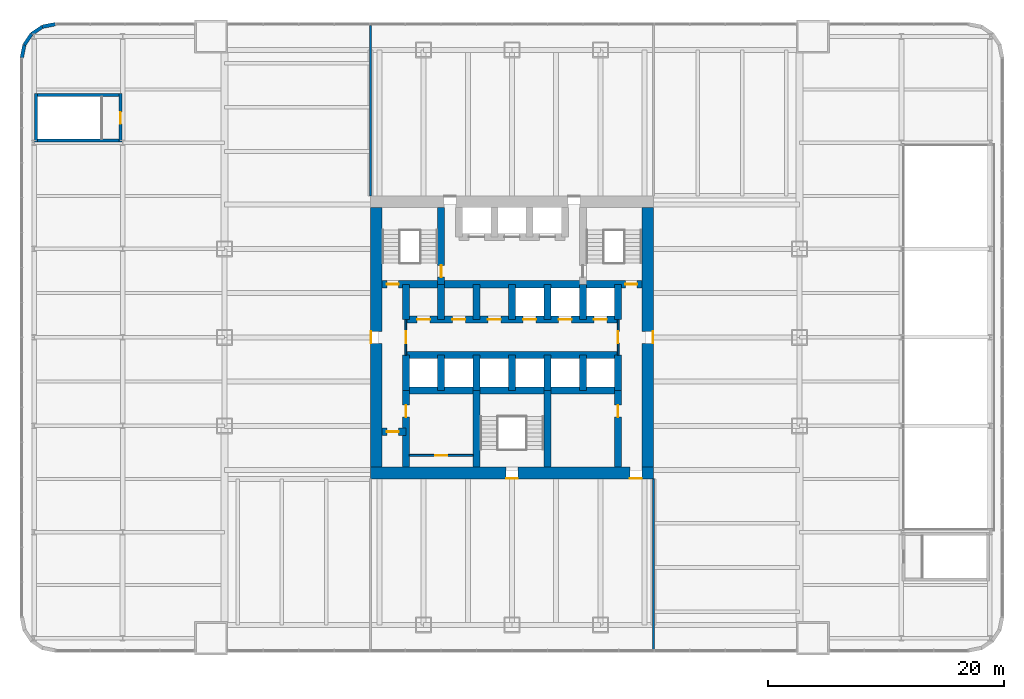
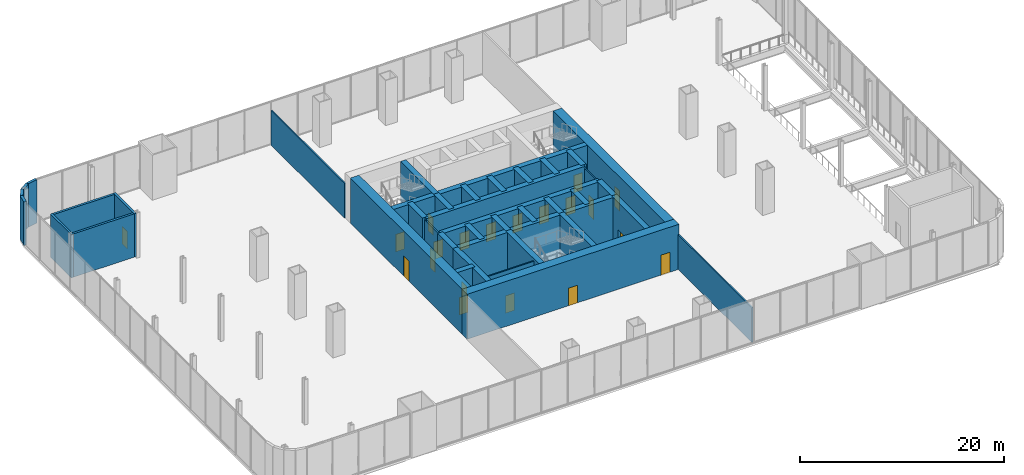
# One storey, part 14 of 17: 40 walls, 20 doors, 20 openings.
"""IFC4 building model written with IfcOpenShell, lengths in metres."""

import ifcopenshell
import ifcopenshell.guid

model = None  # the IFC model being written
_history = None  # IfcOwnerHistory: only IFC2X3 demands one
_inside = {}  # id of a spatial element -> (the spatial element, [elements in it])
_under = {}  # id of a project, library or spatial element -> (it, [spatial elements below it])
_declared = {}  # id of a project -> (the project, [libraries it declares])
_typed = {}  # id of a type object -> (the type object, [elements of that type])
_made_of = {}  # id of a material, layer set ... -> (it, [elements and type objects made of it])


def new_model(schema):
    """Start an empty IFC model of exactly this schema.

    Asked for "IFC4X3", IfcOpenShell would pick the latest addendum, in which some entities
    have other attributes; the version numbers below select the first issue.
    IFC2X3 requires an IfcOwnerHistory on every rooted entity: one is made here for all.
    """
    global model, _history
    if schema == "IFC4X3":
        model = ifcopenshell.file(schema_version=(4, 3, 0, 0))
    else:
        model = ifcopenshell.file(schema=schema)
    _inside.clear()
    _under.clear()
    _declared.clear()
    _typed.clear()
    _made_of.clear()
    _history = None
    if model.schema == "IFC2X3":
        org = make("IfcOrganization", Name="unknown")
        user = make(
            "IfcPersonAndOrganization",
            ThePerson=make("IfcPerson", FamilyName="unknown"),
            TheOrganization=org,
        )
        app = make(
            "IfcApplication",
            ApplicationDeveloper=org,
            Version="unknown",
            ApplicationFullName="unknown",
            ApplicationIdentifier="unknown",
        )
        _history = make(
            "IfcOwnerHistory",
            OwningUser=user,
            OwningApplication=app,
            ChangeAction="ADDED",
            CreationDate=0,
        )
    return model


def make(cls, **values):
    """One entity of the class cls with the attributes given. An attribute that is None is left unset."""
    return model.create_entity(
        cls, **{name: value for name, value in values.items() if value is not None}
    )


def rooted(cls, **values):
    """An entity with a GlobalId (a new one), such as an element, a storey or a relation."""
    return make(cls, GlobalId=ifcopenshell.guid.new(), OwnerHistory=_history, **values)


def si_unit(unit_type, name, prefix=None):
    """IfcSIUnit, for example si_unit("LENGTHUNIT", "METRE", prefix="MILLI")."""
    return make("IfcSIUnit", UnitType=unit_type, Prefix=prefix, Name=name)


def assignment(units):
    """IfcUnitAssignment: the units of a project."""
    return None if units is None else make("IfcUnitAssignment", Units=units)


def point(xyz):
    """IfcCartesianPoint."""
    return None if xyz is None else make("IfcCartesianPoint", Coordinates=xyz)


def direction(xyz):
    """IfcDirection."""
    return None if xyz is None else make("IfcDirection", DirectionRatios=xyz)


def frame(location, z_axis=None, x_axis=None):
    """IfcAxis2Placement3D, a coordinate frame: its origin and axes. An axis left out is left unset."""
    return make(
        "IfcAxis2Placement3D",
        Location=point(location),
        Axis=direction(z_axis),
        RefDirection=direction(x_axis),
    )


def frame_2d(location, x_axis=None):
    """IfcAxis2Placement2D, a coordinate frame in the plane: its origin and x axis."""
    return make(
        "IfcAxis2Placement2D", Location=point(location), RefDirection=direction(x_axis)
    )


def origin():
    """The frame at (0, 0, 0) with its axes left unset."""
    return frame((0.0, 0.0, 0.0))


def place(relative_to, where):
    """IfcLocalPlacement: puts the frame where relative to a parent placement (None: the world)."""
    return make(
        "IfcLocalPlacement", PlacementRelTo=relative_to, RelativePlacement=where
    )


def context(
    kind, dimensions, precision=None, world=None, true_north=None, identifier=None
):
    """IfcGeometricRepresentationContext, for example the 3D "Model" context."""
    return make(
        "IfcGeometricRepresentationContext",
        ContextIdentifier=identifier,
        ContextType=kind,
        CoordinateSpaceDimension=dimensions,
        Precision=precision,
        WorldCoordinateSystem=world,
        TrueNorth=true_north,
    )


def subcontext(parent, identifier, kind, view, scale=None):
    """IfcGeometricRepresentationSubContext, for example "Body" below "Model"."""
    return make(
        "IfcGeometricRepresentationSubContext",
        ContextIdentifier=identifier,
        ContextType=kind,
        ParentContext=parent,
        TargetScale=scale,
        TargetView=view,
    )


def project(units=None, contexts=None):
    """IfcProject with its units and contexts."""
    return rooted(
        "IfcProject",
        Name="project",
        RepresentationContexts=contexts,
        UnitsInContext=assignment(units),
    )


def spatial(cls, under=None, at=None, **own):
    """A site, building, storey or space (cls), placed at a placement, below another one or the project."""
    s = rooted(cls, ObjectPlacement=at, **own)
    if under is not None:
        _under.setdefault(under.id(), (under, []))[1].append(s)
    return s


def profile(cls, at=None, kind="AREA", **sizes):
    """A parametric profile (cls). Its sizes go by their IFC names, for example OverallWidth=200.0."""
    return make(cls, ProfileType=kind, Position=at, **sizes)


def rectangle(**sizes):
    """IfcRectangleProfileDef."""
    return profile("IfcRectangleProfileDef", **sizes)


def extrude(swept, where, along, depth):
    """IfcExtrudedAreaSolid: the profile swept, set in the frame where, extruded along a direction by depth."""
    return make(
        "IfcExtrudedAreaSolid",
        SweptArea=swept,
        Position=where,
        ExtrudedDirection=direction(along),
        Depth=depth,
    )


def shape(context_of_items, identifier, shape_type, items):
    """IfcShapeRepresentation: the items that make up one representation, for example the "Body"."""
    return make(
        "IfcShapeRepresentation",
        ContextOfItems=context_of_items,
        RepresentationIdentifier=identifier,
        RepresentationType=shape_type,
        Items=items,
    )


def material(Name=None, Category=None):
    """IfcMaterial."""
    return make("IfcMaterial", Name=Name, Category=Category)


def layer(
    of_material, thickness, ventilated=None, Name=None, Category=None, Priority=None
):
    """IfcMaterialLayer: one layer of a wall or slab, of a material (None: an air gap)."""
    return make(
        "IfcMaterialLayer",
        Material=of_material,
        LayerThickness=thickness,
        IsVentilated=ventilated,
        Name=Name,
        Category=Category,
        Priority=Priority,
    )


def layer_set(layers, Name=None):
    """IfcMaterialLayerSet."""
    return make("IfcMaterialLayerSet", MaterialLayers=layers, LayerSetName=Name)


def made_of(thing, what):
    """Note that an element or type object is made of a material, layer set ...; save() writes the relation."""
    if what is not None:
        _made_of.setdefault(what.id(), (what, []))[1].append(thing)
    return thing


def type_object(cls, material=None, **own):
    """A type object (cls), such as IfcWallType, which elements share."""
    return made_of(rooted(cls, **own), material)


def element(
    cls,
    number,
    at=None,
    inside=None,
    cuts=None,
    type_object=None,
    material=None,
    context=None,
    identifier="Body",
    shape_type=None,
    held_by="IfcProductDefinitionShape",
    body=None,
    shapes=None,
    **own,
):
    """One element of the class cls, such as IfcWall. Its Tag is "e" and its number.

    at: its placement. inside: the storey or other place that contains it. cuts: it is an
    opening in that element (IfcRelVoidsElement). A single representation is given by context,
    identifier, shape_type and body (its items); several are given by shapes. held_by: the class
    of the entity that holds the representations. save() writes the other relations.
    """
    e = rooted(cls, Tag="e%d" % number, ObjectPlacement=at, **own)
    if body is not None:
        shapes = [shape(context, identifier, shape_type, body)]
    if shapes is not None:
        e.Representation = make(held_by, Representations=shapes)
    if inside is not None:
        _inside.setdefault(inside.id(), (inside, []))[1].append(e)
    if cuts is not None:
        rooted(
            "IfcRelVoidsElement", RelatingBuildingElement=cuts, RelatedOpeningElement=e
        )
    if type_object is not None:
        _typed.setdefault(type_object.id(), (type_object, []))[1].append(e)
    return made_of(e, material)


def fill(opening, filler):
    """IfcRelFillsElement: the door or window that sits in an opening."""
    return rooted(
        "IfcRelFillsElement",
        RelatingOpeningElement=opening,
        RelatedBuildingElement=filler,
    )


def aggregate(whole, parts):
    """IfcRelAggregates: a whole, such as a stair, and the parts it consists of."""
    return rooted("IfcRelAggregates", RelatingObject=whole, RelatedObjects=parts)


def save(model, path):
    """Write the relations noted so far, then the file.

    IfcRelAggregates (storeys below a building ...), IfcRelContainedInSpatialStructure (elements
    in a storey), IfcRelDefinesByType, IfcRelAssociatesMaterial and IfcRelDeclares: one each for
    every whole, place, type object, material and project.
    """
    for whole, parts in _under.values():
        aggregate(whole, parts)
    for where, things in _inside.values():
        rooted(
            "IfcRelContainedInSpatialStructure",
            RelatedElements=things,
            RelatingStructure=where,
        )
    for kind, things in _typed.values():
        rooted("IfcRelDefinesByType", RelatedObjects=things, RelatingType=kind)
    for what, things in _made_of.values():
        rooted("IfcRelAssociatesMaterial", RelatedObjects=things, RelatingMaterial=what)
    for by, libraries in _declared.values():
        rooted("IfcRelDeclares", RelatingContext=by, RelatedDefinitions=libraries)
    model.write(path)


model = new_model("IFC4")

# Units and contexts
model_context = context("Model", 3, precision=1e-05, world=origin(), true_north=direction((0.0, 1.0)))
body_context = subcontext(model_context, "Body", "Model", "MODEL_VIEW")
ifc_project = project(units=[si_unit("LENGTHUNIT", "METRE"), si_unit("AREAUNIT", "SQUARE_METRE"), si_unit("VOLUMEUNIT", "CUBIC_METRE"), si_unit("PLANEANGLEUNIT", "RADIAN"), si_unit("MASSUNIT", "GRAM", prefix="KILO")], contexts=[model_context])

# Site, building, storey
site_placement = place(None, origin())
site = spatial("IfcSite", under=ifc_project, at=site_placement, CompositionType="ELEMENT")
building_placement = place(site_placement, origin())
building = spatial("IfcBuilding", under=site, at=building_placement, Name="Tarangal Relay Tower", CompositionType="ELEMENT")
storey_placement = place(building_placement, frame((0.0, 0.0, 18.0)))
storey = spatial("IfcBuildingStorey", under=building, at=storey_placement, Name="L03", CompositionType="ELEMENT", Elevation=18.0)

# Wall, openings, doors
ifc_material_1 = material(Name="Concrete fc' 60 MPa", Category="concrete")
ifc_layer_1 = layer(ifc_material_1, 0.60009765625)
ifc_layer_set_1 = layer_set([ifc_layer_1], Name="Core inner wall 600")
wall_type_1 = type_object("IfcWallType", Name="Core inner wall 600", PredefinedType="SHEAR", material=ifc_layer_set_1)
wall_1_placement = place(storey_placement, frame((-11.0, 4.5, 0.0), z_axis=(0.0, 0.0, 1.0), x_axis=(1.0, 0.0, 0.0)))
wall_1 = element("IfcWall", 1, at=wall_1_placement, inside=storey, type_object=wall_type_1, Name="Core wall Y45 L03", PredefinedType="SHEAR", context=body_context, shape_type="SweptSolid", body=[
    extrude(rectangle(XDim=22.0, YDim=0.60009765625, at=frame_2d((11.0, 0.0))), origin(), (0.0, 0.0, 1.0), 5.39990234375),
])
opening_1_placement = place(wall_1_placement, frame((0.39990234375, 0.0, 0.0)))
opening_1 = element("IfcOpeningElement", 2, at=opening_1_placement, cuts=wall_1, Name="Opening FD1", PredefinedType="OPENING", context=body_context, shape_type="SweptSolid", body=[
    extrude(rectangle(XDim=1.0, YDim=2.10009765625, at=frame_2d((0.5, 1.050048828125))), frame((0.0, 0.31005859375, 0.0), z_axis=(0.0, -1.0, 0.0), x_axis=(1.0, 0.0, 0.0)), (0.0, 0.0, 1.0), 0.6201171875),
])
opening_2_placement = place(wall_1_placement, frame((20.60009765625, 0.0, 0.0)))
opening_2 = element("IfcOpeningElement", 3, at=opening_2_placement, cuts=wall_1, Name="Opening FD1", PredefinedType="OPENING", context=body_context, shape_type="SweptSolid", body=[
    extrude(rectangle(XDim=1.0, YDim=2.10009765625, at=frame_2d((0.5, 1.050048828125))), frame((0.0, 0.31005859375, 0.0), z_axis=(0.0, -1.0, 0.0), x_axis=(1.0, 0.0, 0.0)), (0.0, 0.0, 1.0), 0.6201171875),
])
ifc_material_2 = material(Name="Steel door with hardwood frame", Category="steel")
door_type_1 = type_object("IfcDoorType", Name="Fire door 1000 x 2100", OperationType="SINGLE_SWING_LEFT", PredefinedType="DOOR", material=ifc_material_2)
door_1_placement = place(opening_1_placement, origin())
door_1 = element("IfcDoor", 4, at=door_1_placement, inside=storey, type_object=door_type_1, Name="Stair ST-A door from corridor L03", OperationType="SINGLE_SWING_LEFT", OverallHeight=2.10009765625, OverallWidth=1.0, PredefinedType="DOOR", context=body_context, shape_type="SweptSolid", body=[
    extrude(rectangle(XDim=1.0, YDim=2.10009765625, at=frame_2d((0.5, 1.050048828125))), frame((0.0, 0.02490234375, 0.0), z_axis=(0.0, -1.0, 0.0), x_axis=(1.0, 0.0, 0.0)), (0.0, 0.0, 1.0), 0.050048828125),
])
fill(opening_1, door_1)
door_2_placement = place(opening_2_placement, origin())
door_2 = element("IfcDoor", 5, at=door_2_placement, inside=storey, type_object=door_type_1, Name="Stair ST-B door from corridor L03", OperationType="SINGLE_SWING_LEFT", OverallHeight=2.10009765625, OverallWidth=1.0, PredefinedType="DOOR", context=body_context, shape_type="SweptSolid", body=[
    extrude(rectangle(XDim=1.0, YDim=2.10009765625, at=frame_2d((0.5, 1.050048828125))), frame((0.0, 0.02490234375, 0.0), z_axis=(0.0, -1.0, 0.0), x_axis=(1.0, 0.0, 0.0)), (0.0, 0.0, 1.0), 0.050048828125),
])
fill(opening_2, door_2)

wall_2_placement = place(storey_placement, frame((-9.0, 1.5, 0.0), z_axis=(0.0, 0.0, 1.0), x_axis=(1.0, 0.0, 0.0)))
wall_2 = element("IfcWall", 6, at=wall_2_placement, inside=storey, type_object=wall_type_1, Name="Core wall Y15 L03", PredefinedType="SHEAR", context=body_context, shape_type="SweptSolid", body=[
    extrude(rectangle(XDim=18.0, YDim=0.60009765625, at=frame_2d((9.0, 0.0))), origin(), (0.0, 0.0, 1.0), 5.39990234375),
])
opening_3_placement = place(wall_2_placement, frame((9.949951171875, 0.0, 0.0)))
opening_3 = element("IfcOpeningElement", 7, at=opening_3_placement, cuts=wall_2, Name="Opening LD1", PredefinedType="OPENING", context=body_context, shape_type="SweptSolid", body=[
    extrude(rectangle(XDim=1.10009765625, YDim=2.10009765625, at=frame_2d((0.550048828125, 1.050048828125))), frame((0.0, 0.31005859375, 0.0), z_axis=(0.0, -1.0, 0.0), x_axis=(1.0, 0.0, 0.0)), (0.0, 0.0, 1.0), 0.6201171875),
])
opening_4_placement = place(wall_2_placement, frame((12.949951171875, 0.0, 0.0)))
opening_4 = element("IfcOpeningElement", 8, at=opening_4_placement, cuts=wall_2, Name="Opening LD1", PredefinedType="OPENING", context=body_context, shape_type="SweptSolid", body=[
    extrude(rectangle(XDim=1.10009765625, YDim=2.10009765625, at=frame_2d((0.550048828125, 1.050048828125))), frame((0.0, 0.31005859375, 0.0), z_axis=(0.0, -1.0, 0.0), x_axis=(1.0, 0.0, 0.0)), (0.0, 0.0, 1.0), 0.6201171875),
])
opening_5_placement = place(wall_2_placement, frame((15.949951171875, 0.0, 0.0)))
opening_5 = element("IfcOpeningElement", 9, at=opening_5_placement, cuts=wall_2, Name="Opening LD1", PredefinedType="OPENING", context=body_context, shape_type="SweptSolid", body=[
    extrude(rectangle(XDim=1.10009765625, YDim=2.10009765625, at=frame_2d((0.550048828125, 1.050048828125))), frame((0.0, 0.31005859375, 0.0), z_axis=(0.0, -1.0, 0.0), x_axis=(1.0, 0.0, 0.0)), (0.0, 0.0, 1.0), 0.6201171875),
])
opening_6_placement = place(wall_2_placement, frame((0.949951171875, 0.0, 0.0)))
opening_6 = element("IfcOpeningElement", 10, at=opening_6_placement, cuts=wall_2, Name="Opening D4", PredefinedType="OPENING", context=body_context, shape_type="SweptSolid", body=[
    extrude(rectangle(XDim=1.10009765625, YDim=2.10009765625, at=frame_2d((0.550048828125, 1.050048828125))), frame((0.0, 0.31005859375, 0.0), z_axis=(0.0, -1.0, 0.0), x_axis=(1.0, 0.0, 0.0)), (0.0, 0.0, 1.0), 0.6201171875),
])
opening_7_placement = place(wall_2_placement, frame((3.949951171875, 0.0, 0.0)))
opening_7 = element("IfcOpeningElement", 11, at=opening_7_placement, cuts=wall_2, Name="Opening D4", PredefinedType="OPENING", context=body_context, shape_type="SweptSolid", body=[
    extrude(rectangle(XDim=1.10009765625, YDim=2.10009765625, at=frame_2d((0.550048828125, 1.050048828125))), frame((0.0, 0.31005859375, 0.0), z_axis=(0.0, -1.0, 0.0), x_axis=(1.0, 0.0, 0.0)), (0.0, 0.0, 1.0), 0.6201171875),
])
opening_8_placement = place(wall_2_placement, frame((6.949951171875, 0.0, 0.0)))
opening_8 = element("IfcOpeningElement", 12, at=opening_8_placement, cuts=wall_2, Name="Opening D4", PredefinedType="OPENING", context=body_context, shape_type="SweptSolid", body=[
    extrude(rectangle(XDim=1.10009765625, YDim=2.10009765625, at=frame_2d((0.550048828125, 1.050048828125))), frame((0.0, 0.31005859375, 0.0), z_axis=(0.0, -1.0, 0.0), x_axis=(1.0, 0.0, 0.0)), (0.0, 0.0, 1.0), 0.6201171875),
])
door_type_2 = type_object("IfcDoorType", Name="Core room door 1100 x 2100", OperationType="SINGLE_SWING_RIGHT", PredefinedType="DOOR", material=ifc_material_2)
door_3_placement = place(opening_6_placement, origin())
door_3 = element("IfcDoor", 13, at=door_3_placement, inside=storey, type_object=door_type_2, Name="Door D4 to staff pantry L03-D1", OperationType="SINGLE_SWING_RIGHT", OverallHeight=2.10009765625, OverallWidth=1.10009765625, PredefinedType="DOOR", context=body_context, shape_type="SweptSolid", body=[
    extrude(rectangle(XDim=1.10009765625, YDim=2.10009765625, at=frame_2d((0.550048828125, 1.050048828125))), frame((0.0, 0.02490234375, 0.0), z_axis=(0.0, -1.0, 0.0), x_axis=(1.0, 0.0, 0.0)), (0.0, 0.0, 1.0), 0.050048828125),
])
fill(opening_6, door_3)
door_4_placement = place(opening_7_placement, origin())
door_4 = element("IfcDoor", 14, at=door_4_placement, inside=storey, type_object=door_type_2, Name="Door D4 to staff wc L03-D2", OperationType="SINGLE_SWING_RIGHT", OverallHeight=2.10009765625, OverallWidth=1.10009765625, PredefinedType="DOOR", context=body_context, shape_type="SweptSolid", body=[
    extrude(rectangle(XDim=1.10009765625, YDim=2.10009765625, at=frame_2d((0.550048828125, 1.050048828125))), frame((0.0, 0.02490234375, 0.0), z_axis=(0.0, -1.0, 0.0), x_axis=(1.0, 0.0, 0.0)), (0.0, 0.0, 1.0), 0.050048828125),
])
fill(opening_7, door_4)
door_5_placement = place(opening_8_placement, origin())
door_5 = element("IfcDoor", 15, at=door_5_placement, inside=storey, type_object=door_type_2, Name="Door D4 to cleaner's store L03-D3", OperationType="SINGLE_SWING_RIGHT", OverallHeight=2.10009765625, OverallWidth=1.10009765625, PredefinedType="DOOR", context=body_context, shape_type="SweptSolid", body=[
    extrude(rectangle(XDim=1.10009765625, YDim=2.10009765625, at=frame_2d((0.550048828125, 1.050048828125))), frame((0.0, 0.02490234375, 0.0), z_axis=(0.0, -1.0, 0.0), x_axis=(1.0, 0.0, 0.0)), (0.0, 0.0, 1.0), 0.050048828125),
])
fill(opening_8, door_5)
door_type_3 = type_object("IfcDoorType", Name="Lift landing door 1100 x 2100", OperationType="SLIDING_TO_LEFT", PredefinedType="DOOR", material=ifc_material_2)
door_6_placement = place(opening_3_placement, origin())
door_6 = element("IfcDoor", 16, at=door_6_placement, inside=storey, type_object=door_type_3, Name="Lift T1 landing door L03", OperationType="SLIDING_TO_LEFT", OverallHeight=2.10009765625, OverallWidth=1.10009765625, PredefinedType="DOOR", context=body_context, shape_type="SweptSolid", body=[
    extrude(rectangle(XDim=1.10009765625, YDim=2.10009765625, at=frame_2d((0.550048828125, 1.050048828125))), frame((0.0, 0.02490234375, 0.0), z_axis=(0.0, -1.0, 0.0), x_axis=(1.0, 0.0, 0.0)), (0.0, 0.0, 1.0), 0.050048828125),
])
fill(opening_3, door_6)
door_7_placement = place(opening_4_placement, origin())
door_7 = element("IfcDoor", 17, at=door_7_placement, inside=storey, type_object=door_type_3, Name="Lift T2 landing door L03", OperationType="SLIDING_TO_LEFT", OverallHeight=2.10009765625, OverallWidth=1.10009765625, PredefinedType="DOOR", context=body_context, shape_type="SweptSolid", body=[
    extrude(rectangle(XDim=1.10009765625, YDim=2.10009765625, at=frame_2d((0.550048828125, 1.050048828125))), frame((0.0, 0.02490234375, 0.0), z_axis=(0.0, -1.0, 0.0), x_axis=(1.0, 0.0, 0.0)), (0.0, 0.0, 1.0), 0.050048828125),
])
fill(opening_4, door_7)
door_8_placement = place(opening_5_placement, origin())
door_8 = element("IfcDoor", 18, at=door_8_placement, inside=storey, type_object=door_type_3, Name="Lift T3 landing door L03", OperationType="SLIDING_TO_LEFT", OverallHeight=2.10009765625, OverallWidth=1.10009765625, PredefinedType="DOOR", context=body_context, shape_type="SweptSolid", body=[
    extrude(rectangle(XDim=1.10009765625, YDim=2.10009765625, at=frame_2d((0.550048828125, 1.050048828125))), frame((0.0, 0.02490234375, 0.0), z_axis=(0.0, -1.0, 0.0), x_axis=(1.0, 0.0, 0.0)), (0.0, 0.0, 1.0), 0.050048828125),
])
fill(opening_5, door_8)

# Walls
for number, where, z_axis, x_axis, name in (
    (19, (-9.0, -1.5, 0.0), (0.0, 0.0, 1.0), (1.0, 0.0, 0.0), "Core wall YM15 L03"),
    (20, (-9.0, -4.5, 0.0), (0.0, 0.0, 1.0), (1.0, 0.0, 0.0), "Core wall YM45 L03"),
):
    element("IfcWall", number, at=place(storey_placement, frame(where, z_axis=z_axis, x_axis=x_axis)), inside=storey, type_object=wall_type_1, Name=name, PredefinedType="SHEAR", context=body_context, shape_type="SweptSolid", body=[
        extrude(rectangle(XDim=18.0, YDim=0.60009765625, at=frame_2d((9.0, 0.0))), origin(), (0.0, 0.0, 1.0), 5.39990234375),
    ])

# Wall, opening, door
wall_3_placement = place(storey_placement, frame((-11.0, -8.0, 0.0), z_axis=(0.0, 0.0, 1.0), x_axis=(1.0, 0.0, 0.0)))
wall_3 = element("IfcWall", 21, at=wall_3_placement, inside=storey, type_object=wall_type_1, Name="Core wall YM8 L03", PredefinedType="SHEAR", context=body_context, shape_type="SweptSolid", body=[
    extrude(rectangle(XDim=2.0, YDim=0.60009765625, at=frame_2d((1.0, 0.0))), origin(), (0.0, 0.0, 1.0), 5.39990234375),
])
opening_9_placement = place(wall_3_placement, frame((0.39990234375, 0.0, 0.0)))
opening_9 = element("IfcOpeningElement", 22, at=opening_9_placement, cuts=wall_3, Name="Opening D1", PredefinedType="OPENING", context=body_context, shape_type="SweptSolid", body=[
    extrude(rectangle(XDim=1.0, YDim=2.10009765625, at=frame_2d((0.5, 1.050048828125))), frame((0.0, 0.31005859375, 0.0), z_axis=(0.0, -1.0, 0.0), x_axis=(1.0, 0.0, 0.0)), (0.0, 0.0, 1.0), 0.6201171875),
])
ifc_material_3 = material(Name="Hardwood door", Category="wood")
door_type_4 = type_object("IfcDoorType", Name="WC door 1000 x 2100", OperationType="SINGLE_SWING_LEFT", PredefinedType="DOOR", material=ifc_material_3)
door_9_placement = place(opening_9_placement, origin())
door_9 = element("IfcDoor", 23, at=door_9_placement, inside=storey, type_object=door_type_4, Name="Accessible WC door L03", OperationType="SINGLE_SWING_LEFT", OverallHeight=2.10009765625, OverallWidth=1.0, PredefinedType="DOOR", context=body_context, shape_type="SweptSolid", body=[
    extrude(rectangle(XDim=1.0, YDim=2.10009765625, at=frame_2d((0.5, 1.050048828125))), frame((0.0, 0.02490234375, 0.0), z_axis=(0.0, -1.0, 0.0), x_axis=(1.0, 0.0, 0.0)), (0.0, 0.0, 1.0), 0.050048828125),
])
fill(opening_9, door_9)

# Walls
for number, where, z_axis, x_axis, name in (
    (24, (-9.0, 1.5, 0.0), (0.0, 0.0, 1.0), (0.0, 1.0, 0.0), "Core wall XM9N L03"),
    (25, (9.0, 1.5, 0.0), (0.0, 0.0, 1.0), (0.0, 1.0, 0.0), "Core wall X9N L03"),
    (26, (-9.0, -4.5, 0.0), (0.0, 0.0, 1.0), (0.0, 1.0, 0.0), "Core wall XM9S L03"),
    (27, (9.0, -4.5, 0.0), (0.0, 0.0, 1.0), (0.0, 1.0, 0.0), "Core wall X9S L03"),
    (28, (-6.0, 1.5, 0.0), (0.0, 0.0, 1.0), (0.0, 1.0, 0.0), "Core wall XM6N L03"),
    (29, (-3.0, 1.5, 0.0), (0.0, 0.0, 1.0), (0.0, 1.0, 0.0), "Core wall XM3N L03"),
    (30, (0.0, 1.5, 0.0), (0.0, 0.0, 1.0), (0.0, 1.0, 0.0), "Core wall X0N L03"),
    (31, (3.0, 1.5, 0.0), (0.0, 0.0, 1.0), (0.0, 1.0, 0.0), "Core wall X3N L03"),
    (32, (6.0, 1.5, 0.0), (0.0, 0.0, 1.0), (0.0, 1.0, 0.0), "Core wall X6N L03"),
    (33, (-6.0, -4.5, 0.0), (0.0, 0.0, 1.0), (0.0, 1.0, 0.0), "Core wall XM6S L03"),
    (34, (-3.0, -4.5, 0.0), (0.0, 0.0, 1.0), (0.0, 1.0, 0.0), "Core wall XM3S L03"),
    (35, (0.0, -4.5, 0.0), (0.0, 0.0, 1.0), (0.0, 1.0, 0.0), "Core wall X0S L03"),
    (36, (3.0, -4.5, 0.0), (0.0, 0.0, 1.0), (0.0, 1.0, 0.0), "Core wall X3S L03"),
    (37, (6.0, -4.5, 0.0), (0.0, 0.0, 1.0), (0.0, 1.0, 0.0), "Core wall X6S L03"),
):
    element("IfcWall", number, at=place(storey_placement, frame(where, z_axis=z_axis, x_axis=x_axis)), inside=storey, type_object=wall_type_1, Name=name, PredefinedType="SHEAR", context=body_context, shape_type="SweptSolid", body=[
        extrude(rectangle(XDim=3.0, YDim=0.60009765625, at=frame_2d((1.5, 0.0))), origin(), (0.0, 0.0, 1.0), 5.39990234375),
    ])

# Wall, opening, door
wall_4_placement = place(storey_placement, frame((-6.0, 4.5, 0.0), z_axis=(0.0, 0.0, 1.0), x_axis=(0.0, 1.0, 0.0)))
wall_4 = element("IfcWall", 38, at=wall_4_placement, inside=storey, type_object=wall_type_1, Name="Core wall XM6 L03", PredefinedType="SHEAR", context=body_context, shape_type="SweptSolid", body=[
    extrude(rectangle(XDim=6.5, YDim=0.60009765625, at=frame_2d((3.25, 0.0))), origin(), (0.0, 0.0, 1.0), 5.39990234375),
])
opening_10_placement = place(wall_4_placement, frame((0.60009765625, 0.0, 0.0)))
opening_10 = element("IfcOpeningElement", 39, at=opening_10_placement, cuts=wall_4, Name="Opening FD1", PredefinedType="OPENING", context=body_context, shape_type="SweptSolid", body=[
    extrude(rectangle(XDim=1.0, YDim=2.10009765625, at=frame_2d((0.5, 1.050048828125))), frame((0.0, 0.31005859375, 0.0), z_axis=(0.0, -1.0, 0.0), x_axis=(1.0, 0.0, 0.0)), (0.0, 0.0, 1.0), 0.6201171875),
])
door_10_placement = place(opening_10_placement, origin())
door_10 = element("IfcDoor", 40, at=door_10_placement, inside=storey, type_object=door_type_1, Name="Stair ST-A door from fire-fighting lobby L03", OperationType="SINGLE_SWING_LEFT", OverallHeight=2.10009765625, OverallWidth=1.0, PredefinedType="DOOR", context=body_context, shape_type="SweptSolid", body=[
    extrude(rectangle(XDim=1.0, YDim=2.10009765625, at=frame_2d((0.5, 1.050048828125))), frame((0.0, 0.02490234375, 0.0), z_axis=(0.0, -1.0, 0.0), x_axis=(1.0, 0.0, 0.0)), (0.0, 0.0, 1.0), 0.050048828125),
])
fill(opening_10, door_10)

wall_5_placement = place(storey_placement, frame((-9.0, -11.0, 0.0), z_axis=(0.0, 0.0, 1.0), x_axis=(0.0, 1.0, 0.0)))
wall_5 = element("IfcWall", 41, at=wall_5_placement, inside=storey, type_object=wall_type_1, Name="Core wall XM9W L03", PredefinedType="SHEAR", context=body_context, shape_type="SweptSolid", body=[
    extrude(rectangle(XDim=6.5, YDim=0.60009765625, at=frame_2d((3.25, 0.0))), origin(), (0.0, 0.0, 1.0), 5.39990234375),
])
opening_11_placement = place(wall_5_placement, frame((4.25, 0.0, 0.0)))
opening_11 = element("IfcOpeningElement", 42, at=opening_11_placement, cuts=wall_5, Name="Opening D1", PredefinedType="OPENING", context=body_context, shape_type="SweptSolid", body=[
    extrude(rectangle(XDim=1.0, YDim=2.10009765625, at=frame_2d((0.5, 1.050048828125))), frame((0.0, 0.31005859375, 0.0), z_axis=(0.0, -1.0, 0.0), x_axis=(1.0, 0.0, 0.0)), (0.0, 0.0, 1.0), 0.6201171875),
])
door_11_placement = place(opening_11_placement, origin())
door_11 = element("IfcDoor", 43, at=door_11_placement, inside=storey, type_object=door_type_4, Name="Male WC door L03", OperationType="SINGLE_SWING_LEFT", OverallHeight=2.10009765625, OverallWidth=1.0, PredefinedType="DOOR", context=body_context, shape_type="SweptSolid", body=[
    extrude(rectangle(XDim=1.0, YDim=2.10009765625, at=frame_2d((0.5, 1.050048828125))), frame((0.0, 0.02490234375, 0.0), z_axis=(0.0, -1.0, 0.0), x_axis=(1.0, 0.0, 0.0)), (0.0, 0.0, 1.0), 0.050048828125),
])
fill(opening_11, door_11)

wall_6_placement = place(storey_placement, frame((9.0, -11.0, 0.0), z_axis=(0.0, 0.0, 1.0), x_axis=(0.0, 1.0, 0.0)))
wall_6 = element("IfcWall", 44, at=wall_6_placement, inside=storey, type_object=wall_type_1, Name="Core wall X9W L03", PredefinedType="SHEAR", context=body_context, shape_type="SweptSolid", body=[
    extrude(rectangle(XDim=6.5, YDim=0.60009765625, at=frame_2d((3.25, 0.0))), origin(), (0.0, 0.0, 1.0), 5.39990234375),
])
opening_12_placement = place(wall_6_placement, frame((4.25, 0.0, 0.0)))
opening_12 = element("IfcOpeningElement", 45, at=opening_12_placement, cuts=wall_6, Name="Opening D1", PredefinedType="OPENING", context=body_context, shape_type="SweptSolid", body=[
    extrude(rectangle(XDim=1.0, YDim=2.10009765625, at=frame_2d((0.5, 1.050048828125))), frame((0.0, 0.31005859375, 0.0), z_axis=(0.0, -1.0, 0.0), x_axis=(1.0, 0.0, 0.0)), (0.0, 0.0, 1.0), 0.6201171875),
])
door_12_placement = place(opening_12_placement, origin())
door_12 = element("IfcDoor", 46, at=door_12_placement, inside=storey, type_object=door_type_4, Name="Female WC door L03", OperationType="SINGLE_SWING_LEFT", OverallHeight=2.10009765625, OverallWidth=1.0, PredefinedType="DOOR", context=body_context, shape_type="SweptSolid", body=[
    extrude(rectangle(XDim=1.0, YDim=2.10009765625, at=frame_2d((0.5, 1.050048828125))), frame((0.0, 0.02490234375, 0.0), z_axis=(0.0, -1.0, 0.0), x_axis=(1.0, 0.0, 0.0)), (0.0, 0.0, 1.0), 0.050048828125),
])
fill(opening_12, door_12)

# Walls
for number, where, z_axis, x_axis, name in (
    (47, (-3.0, -11.0, 0.0), (0.0, 0.0, 1.0), (0.0, 1.0, 0.0), "Core wall XM3W L03"),
    (48, (3.0, -11.0, 0.0), (0.0, 0.0, 1.0), (0.0, 1.0, 0.0), "Core wall X3W L03"),
):
    element("IfcWall", number, at=place(storey_placement, frame(where, z_axis=z_axis, x_axis=x_axis)), inside=storey, type_object=wall_type_1, Name=name, PredefinedType="SHEAR", context=body_context, shape_type="SweptSolid", body=[
        extrude(rectangle(XDim=6.5, YDim=0.60009765625, at=frame_2d((3.25, 0.0))), origin(), (0.0, 0.0, 1.0), 5.39990234375),
    ])

# Wall, openings, doors
ifc_layer_2 = layer(ifc_material_1, 1.0)
ifc_layer_set_2 = layer_set([ifc_layer_2], Name="Core wall 1000")
wall_type_2 = type_object("IfcWallType", Name="Core wall 1000", PredefinedType="SHEAR", material=ifc_layer_set_2)
wall_7_placement = place(storey_placement, frame((12.0, -11.5, 0.0), z_axis=(0.0, 0.0, 1.0), x_axis=(-1.0, 0.0, 0.0)))
wall_7 = element("IfcWall", 49, at=wall_7_placement, inside=storey, type_object=wall_type_2, Name="Core wall S L03", PredefinedType="SHEAR", context=body_context, shape_type="SweptSolid", body=[
    extrude(rectangle(XDim=24.0, YDim=1.0, at=frame_2d((12.0, 0.0))), origin(), (0.0, 0.0, 1.0), 5.39990234375),
])
opening_13_placement = place(wall_7_placement, frame((11.5, 0.0, 0.0)))
opening_13 = element("IfcOpeningElement", 50, at=opening_13_placement, cuts=wall_7, Name="Opening FD1", PredefinedType="OPENING", context=body_context, shape_type="SweptSolid", body=[
    extrude(rectangle(XDim=1.0, YDim=2.10009765625, at=frame_2d((0.5, 1.050048828125))), frame((0.0, 0.510009765625, 0.0), z_axis=(0.0, -1.0, 0.0), x_axis=(1.0, 0.0, 0.0)), (0.0, 0.0, 1.0), 1.02001953125),
])
opening_14_placement = place(wall_7_placement, frame((1.0, 0.0, 0.0)))
opening_14 = element("IfcOpeningElement", 51, at=opening_14_placement, cuts=wall_7, Name="Opening FD3", PredefinedType="OPENING", context=body_context, shape_type="SweptSolid", body=[
    extrude(rectangle(XDim=1.0, YDim=2.39990234375, at=frame_2d((0.5, 1.199951171875))), frame((0.0, 0.510009765625, 0.0), z_axis=(0.0, -1.0, 0.0), x_axis=(1.0, 0.0, 0.0)), (0.0, 0.0, 1.0), 1.02001953125),
])
door_13_placement = place(opening_13_placement, origin())
door_13 = element("IfcDoor", 52, at=door_13_placement, inside=storey, type_object=door_type_1, Name="Stair ST-C door L03", OperationType="SINGLE_SWING_LEFT", OverallHeight=2.10009765625, OverallWidth=1.0, PredefinedType="DOOR", context=body_context, shape_type="SweptSolid", body=[
    extrude(rectangle(XDim=1.0, YDim=2.10009765625, at=frame_2d((0.5, 1.050048828125))), frame((0.0, 0.48486328125, 0.0), z_axis=(0.0, -1.0, 0.0), x_axis=(1.0, 0.0, 0.0)), (0.0, 0.0, 1.0), 0.050048828125),
])
fill(opening_13, door_13)
door_type_5 = type_object("IfcDoorType", Name="Fire door 1000 x 2400 core entry", OperationType="SINGLE_SWING_RIGHT", PredefinedType="DOOR", material=ifc_material_2)
door_14_placement = place(opening_14_placement, origin())
door_14 = element("IfcDoor", 53, at=door_14_placement, inside=storey, type_object=door_type_5, Name="Core entry door south east L03", OperationType="SINGLE_SWING_RIGHT", OverallHeight=2.39990234375, OverallWidth=1.0, PredefinedType="DOOR", context=body_context, shape_type="SweptSolid", body=[
    extrude(rectangle(XDim=1.0, YDim=2.39990234375, at=frame_2d((0.5, 1.199951171875))), frame((0.0, 0.48486328125, 0.0), z_axis=(0.0, -1.0, 0.0), x_axis=(1.0, 0.0, 0.0)), (0.0, 0.0, 1.0), 0.050048828125),
])
fill(opening_14, door_14)

# Wall, opening, door
wall_8_placement = place(storey_placement, frame((11.5, 11.0, 0.0), z_axis=(0.0, 0.0, 1.0), x_axis=(0.0, -1.0, 0.0)))
wall_8 = element("IfcWall", 54, at=wall_8_placement, inside=storey, type_object=wall_type_2, Name="Core wall E L03", PredefinedType="SHEAR", context=body_context, shape_type="SweptSolid", body=[
    extrude(rectangle(XDim=22.0, YDim=1.0, at=frame_2d((11.0, 0.0))), origin(), (0.0, 0.0, 1.0), 5.39990234375),
])
opening_15_placement = place(wall_8_placement, frame((10.5, 0.0, 0.0)))
opening_15 = element("IfcOpeningElement", 55, at=opening_15_placement, cuts=wall_8, Name="Opening FD3", PredefinedType="OPENING", context=body_context, shape_type="SweptSolid", body=[
    extrude(rectangle(XDim=1.0, YDim=2.39990234375, at=frame_2d((0.5, 1.199951171875))), frame((0.0, 0.510009765625, 0.0), z_axis=(0.0, -1.0, 0.0), x_axis=(1.0, 0.0, 0.0)), (0.0, 0.0, 1.0), 1.02001953125),
])
door_15_placement = place(opening_15_placement, origin())
door_15 = element("IfcDoor", 56, at=door_15_placement, inside=storey, type_object=door_type_5, Name="Core entry door east L03", OperationType="SINGLE_SWING_RIGHT", OverallHeight=2.39990234375, OverallWidth=1.0, PredefinedType="DOOR", context=body_context, shape_type="SweptSolid", body=[
    extrude(rectangle(XDim=1.0, YDim=2.39990234375, at=frame_2d((0.5, 1.199951171875))), frame((0.0, 0.48486328125, 0.0), z_axis=(0.0, -1.0, 0.0), x_axis=(1.0, 0.0, 0.0)), (0.0, 0.0, 1.0), 0.050048828125),
])
fill(opening_15, door_15)

wall_9_placement = place(storey_placement, frame((-11.5, -11.0, 0.0), z_axis=(0.0, 0.0, 1.0), x_axis=(0.0, 1.0, 0.0)))
wall_9 = element("IfcWall", 57, at=wall_9_placement, inside=storey, type_object=wall_type_2, Name="Core wall W L03", PredefinedType="SHEAR", context=body_context, shape_type="SweptSolid", body=[
    extrude(rectangle(XDim=22.0, YDim=1.0, at=frame_2d((11.0, 0.0))), origin(), (0.0, 0.0, 1.0), 5.39990234375),
])
opening_16_placement = place(wall_9_placement, frame((10.5, 0.0, 0.0)))
opening_16 = element("IfcOpeningElement", 58, at=opening_16_placement, cuts=wall_9, Name="Opening FD3", PredefinedType="OPENING", context=body_context, shape_type="SweptSolid", body=[
    extrude(rectangle(XDim=1.0, YDim=2.39990234375, at=frame_2d((0.5, 1.199951171875))), frame((0.0, 0.510009765625, 0.0), z_axis=(0.0, -1.0, 0.0), x_axis=(1.0, 0.0, 0.0)), (0.0, 0.0, 1.0), 1.02001953125),
])
door_16_placement = place(opening_16_placement, origin())
door_16 = element("IfcDoor", 59, at=door_16_placement, inside=storey, type_object=door_type_5, Name="Core entry door west L03", OperationType="SINGLE_SWING_RIGHT", OverallHeight=2.39990234375, OverallWidth=1.0, PredefinedType="DOOR", context=body_context, shape_type="SweptSolid", body=[
    extrude(rectangle(XDim=1.0, YDim=2.39990234375, at=frame_2d((0.5, 1.199951171875))), frame((0.0, 0.48486328125, 0.0), z_axis=(0.0, -1.0, 0.0), x_axis=(1.0, 0.0, 0.0)), (0.0, 0.0, 1.0), 0.050048828125),
])
fill(opening_16, door_16)

# Walls
ifc_material_4 = material(Name="Gypsum board on steel studs", Category="steel")
ifc_layer_3 = layer(ifc_material_4, 0.14990234375)
ifc_layer_set_3 = layer_set([ifc_layer_3], Name="Partition 150")
wall_type_3 = type_object("IfcWallType", Name="Partition 150", PredefinedType="PARTITIONING", material=ifc_layer_set_3)
for number, where, z_axis, x_axis, name in (
    (60, (-12.0, 12.0, 0.0), (0.0, 0.0, 1.0), (0.0, 1.0, 0.0), "Partition PT1 L03"),
    (61, (12.0, -12.0, 0.0), (0.0, 0.0, 1.0), (0.0, -1.0, 0.0), "Partition PT1 L03"),
):
    element("IfcWall", number, at=place(storey_placement, frame(where, z_axis=z_axis, x_axis=x_axis)), inside=storey, type_object=wall_type_3, Name=name, PredefinedType="PARTITIONING", context=body_context, shape_type="SweptSolid", body=[
        extrude(rectangle(XDim=14.449951171875, YDim=0.14990234375, at=frame_2d((7.22509765625, 0.0))), origin(), (0.0, 0.0, 1.0), 4.163818359375),
    ])

# Wall, opening, door
wall_10_placement = place(storey_placement, frame((-8.699951171875, -10.0, 0.0), z_axis=(0.0, 0.0, 1.0), x_axis=(1.0, 0.0, 0.0)))
wall_10 = element("IfcWall", 62, at=wall_10_placement, inside=storey, type_object=wall_type_3, Name="Partition PT1 L03", PredefinedType="PARTITIONING", context=body_context, shape_type="SweptSolid", body=[
    extrude(rectangle(XDim=5.39990234375, YDim=0.14990234375, at=frame_2d((2.699951171875, 0.0))), origin(), (0.0, 0.0, 1.0), 5.14990234375),
])
opening_17_placement = place(wall_10_placement, frame((2.199951171875, 0.0, 0.0)))
opening_17 = element("IfcOpeningElement", 63, at=opening_17_placement, cuts=wall_10, Name="Opening D1", PredefinedType="OPENING", context=body_context, shape_type="SweptSolid", body=[
    extrude(rectangle(XDim=1.0, YDim=2.10009765625, at=frame_2d((0.5, 1.050048828125))), frame((0.0, 0.0849609375, 0.0), z_axis=(0.0, -1.0, 0.0), x_axis=(1.0, 0.0, 0.0)), (0.0, 0.0, 1.0), 0.169921875),
])
door_17_placement = place(opening_17_placement, origin())
door_17 = element("IfcDoor", 64, at=door_17_placement, inside=storey, type_object=door_type_4, Name="Door D1 to male shower room L03-C7B", OperationType="SINGLE_SWING_LEFT", OverallHeight=2.10009765625, OverallWidth=1.0, PredefinedType="DOOR", context=body_context, shape_type="SweptSolid", body=[
    extrude(rectangle(XDim=1.0, YDim=2.10009765625, at=frame_2d((0.5, 1.050048828125))), frame((0.0, 0.02490234375, 0.0), z_axis=(0.0, -1.0, 0.0), x_axis=(1.0, 0.0, 0.0)), (0.0, 0.0, 1.0), 0.050048828125),
])
fill(opening_17, door_17)

wall_11_placement = place(storey_placement, frame((-9.0, -1.5, 0.0), z_axis=(0.0, 0.0, 1.0), x_axis=(0.0, 1.0, 0.0)))
wall_11 = element("IfcWall", 65, at=wall_11_placement, inside=storey, type_object=wall_type_3, Name="Partition PT1 L03", PredefinedType="PARTITIONING", context=body_context, shape_type="SweptSolid", body=[
    extrude(rectangle(XDim=3.0, YDim=0.14990234375, at=frame_2d((1.5, 0.0))), origin(), (0.0, 0.0, 1.0), 5.14990234375),
])
opening_18_placement = place(wall_11_placement, frame((1.0, 0.0, 0.0)))
opening_18 = element("IfcOpeningElement", 66, at=opening_18_placement, cuts=wall_11, Name="Opening FD3", PredefinedType="OPENING", context=body_context, shape_type="SweptSolid", body=[
    extrude(rectangle(XDim=1.0, YDim=2.39990234375, at=frame_2d((0.5, 1.199951171875))), frame((0.0, 0.0849609375, 0.0), z_axis=(0.0, -1.0, 0.0), x_axis=(1.0, 0.0, 0.0)), (0.0, 0.0, 1.0), 0.169921875),
])
door_18_placement = place(opening_18_placement, origin())
door_18 = element("IfcDoor", 67, at=door_18_placement, inside=storey, type_object=door_type_5, Name="Lift lobby door FD3 to the west corridor L03", OperationType="SINGLE_SWING_RIGHT", OverallHeight=2.39990234375, OverallWidth=1.0, PredefinedType="DOOR", context=body_context, shape_type="SweptSolid", body=[
    extrude(rectangle(XDim=1.0, YDim=2.39990234375, at=frame_2d((0.5, 1.199951171875))), frame((0.0, 0.02490234375, 0.0), z_axis=(0.0, -1.0, 0.0), x_axis=(1.0, 0.0, 0.0)), (0.0, 0.0, 1.0), 0.050048828125),
])
fill(opening_18, door_18)

wall_12_placement = place(storey_placement, frame((9.0, -1.5, 0.0), z_axis=(0.0, 0.0, 1.0), x_axis=(0.0, 1.0, 0.0)))
wall_12 = element("IfcWall", 68, at=wall_12_placement, inside=storey, type_object=wall_type_3, Name="Partition PT1 L03", PredefinedType="PARTITIONING", context=body_context, shape_type="SweptSolid", body=[
    extrude(rectangle(XDim=3.0, YDim=0.14990234375, at=frame_2d((1.5, 0.0))), origin(), (0.0, 0.0, 1.0), 5.14990234375),
])
opening_19_placement = place(wall_12_placement, frame((1.0, 0.0, 0.0)))
opening_19 = element("IfcOpeningElement", 69, at=opening_19_placement, cuts=wall_12, Name="Opening FD3", PredefinedType="OPENING", context=body_context, shape_type="SweptSolid", body=[
    extrude(rectangle(XDim=1.0, YDim=2.39990234375, at=frame_2d((0.5, 1.199951171875))), frame((0.0, 0.0849609375, 0.0), z_axis=(0.0, -1.0, 0.0), x_axis=(1.0, 0.0, 0.0)), (0.0, 0.0, 1.0), 0.169921875),
])
door_19_placement = place(opening_19_placement, origin())
door_19 = element("IfcDoor", 70, at=door_19_placement, inside=storey, type_object=door_type_5, Name="Lift lobby door FD3 to the east corridor L03", OperationType="SINGLE_SWING_RIGHT", OverallHeight=2.39990234375, OverallWidth=1.0, PredefinedType="DOOR", context=body_context, shape_type="SweptSolid", body=[
    extrude(rectangle(XDim=1.0, YDim=2.39990234375, at=frame_2d((0.5, 1.199951171875))), frame((0.0, 0.02490234375, 0.0), z_axis=(0.0, -1.0, 0.0), x_axis=(1.0, 0.0, 0.0)), (0.0, 0.0, 1.0), 0.050048828125),
])
fill(opening_19, door_19)

# Walls
ifc_material_5 = material(Name="Black granite clad concrete wall", Category="masonry")
ifc_layer_4 = layer(ifc_material_5, 0.300048828125)
ifc_layer_set_4 = layer_set([ifc_layer_4], Name="Podium wall 300")
wall_type_4 = type_object("IfcWallType", Name="Podium wall 300", PredefinedType="SOLIDWALL", material=ifc_layer_set_4)
for number, where, z_axis, x_axis, name in (
    (71, (-38.699951171875, 26.550048828125, 0.0), (0.0, 0.0, 1.0), (-0.980766015647, -0.195187147506, 0.0), "Podium corner wall L03"),
    (72, (-39.79052734375, 26.3330078125, 0.0), (0.0, 0.0, 1.0), (-0.831577159616, -0.555409243355, 0.0), "Podium corner wall L03"),
    (73, (-40.71533203125, 25.71533203125, 0.0), (0.0, 0.0, 1.0), (-0.555409243355, -0.831577159616, 0.0), "Podium corner wall L03"),
    (74, (-41.3330078125, 24.79052734375, 0.0), (0.0, 0.0, 1.0), (-0.195187147506, -0.980766015647, 0.0), "Podium corner wall L03"),
):
    element("IfcWall", number, at=place(storey_placement, frame(where, z_axis=z_axis, x_axis=x_axis)), inside=storey, type_object=wall_type_4, Name=name, PredefinedType="SOLIDWALL", context=body_context, shape_type="SweptSolid", body=[
        extrude(rectangle(XDim=1.112060546875, YDim=0.300048828125, at=frame_2d((0.55615234375, 0.0))), origin(), (0.0, 0.0, 1.0), 5.199951171875),
    ])
ifc_material_6 = material(Name="Concrete blockwork", Category="masonry")
ifc_layer_5 = layer(ifc_material_6, 0.25)
ifc_layer_set_5 = layer_set([ifc_layer_5], Name="Stair enclosure wall 250")
wall_type_5 = type_object("IfcWallType", Name="Stair enclosure wall 250", PredefinedType="SOLIDWALL", material=ifc_layer_set_5)
wall_13_placement = place(storey_placement, frame((-40.324951171875, 16.550048828125, 0.0), z_axis=(0.0, 0.0, 1.0), x_axis=(0.0, 1.0, 0.0)))
element("IfcWall", 75, at=wall_13_placement, inside=storey, type_object=wall_type_5, Name="Stair ST-D enclosure wall L03", PredefinedType="SOLIDWALL", context=body_context, shape_type="SweptSolid", body=[
    extrude(rectangle(XDim=4.099853515625, YDim=0.25, at=frame_2d((2.0498046875, 0.0))), origin(), (0.0, 0.0, 1.0), 5.199951171875),
])

# Wall, opening, door
wall_14_placement = place(storey_placement, frame((-33.175048828125, 16.550048828125, 0.0), z_axis=(0.0, 0.0, 1.0), x_axis=(0.0, 1.0, 0.0)))
wall_14 = element("IfcWall", 76, at=wall_14_placement, inside=storey, type_object=wall_type_5, Name="Stair ST-D enclosure wall L03", PredefinedType="SOLIDWALL", context=body_context, shape_type="SweptSolid", body=[
    extrude(rectangle(XDim=4.099853515625, YDim=0.25, at=frame_2d((2.0498046875, 0.0))), origin(), (0.0, 0.0, 1.0), 5.199951171875),
])
opening_20_placement = place(wall_14_placement, frame((1.550048828125, 0.0, 0.0)))
opening_20 = element("IfcOpeningElement", 77, at=opening_20_placement, cuts=wall_14, Name="Opening FD1", PredefinedType="OPENING", context=body_context, shape_type="SweptSolid", body=[
    extrude(rectangle(XDim=1.0, YDim=2.10009765625, at=frame_2d((0.5, 1.050048828125))), frame((0.0, 0.135009765625, 0.0), z_axis=(0.0, -1.0, 0.0), x_axis=(1.0, 0.0, 0.0)), (0.0, 0.0, 1.0), 0.27001953125),
])
door_20_placement = place(opening_20_placement, origin())
door_20 = element("IfcDoor", 78, at=door_20_placement, inside=storey, type_object=door_type_1, Name="Stair ST-D door L03", OperationType="SINGLE_SWING_LEFT", OverallHeight=2.10009765625, OverallWidth=1.0, PredefinedType="DOOR", context=body_context, shape_type="SweptSolid", body=[
    extrude(rectangle(XDim=1.0, YDim=2.10009765625, at=frame_2d((0.5, 1.050048828125))), frame((0.0, 0.02490234375, 0.0), z_axis=(0.0, -1.0, 0.0), x_axis=(1.0, 0.0, 0.0)), (0.0, 0.0, 1.0), 0.050048828125),
])
fill(opening_20, door_20)

# Walls
for number, where, z_axis, x_axis, name in (
    (79, (-40.199951171875, 16.675048828125, 0.0), (0.0, 0.0, 1.0), (1.0, 0.0, 0.0), "Stair ST-D enclosure wall L03"),
    (80, (-40.199951171875, 20.52490234375, 0.0), (0.0, 0.0, 1.0), (1.0, 0.0, 0.0), "Stair ST-D enclosure wall L03"),
):
    element("IfcWall", number, at=place(storey_placement, frame(where, z_axis=z_axis, x_axis=x_axis)), inside=storey, type_object=wall_type_5, Name=name, PredefinedType="SOLIDWALL", context=body_context, shape_type="SweptSolid", body=[
        extrude(rectangle(XDim=6.89990234375, YDim=0.25, at=frame_2d((3.449951171875, 0.0))), origin(), (0.0, 0.0, 1.0), 5.199951171875),
    ])

save(model, "model.ifc")
